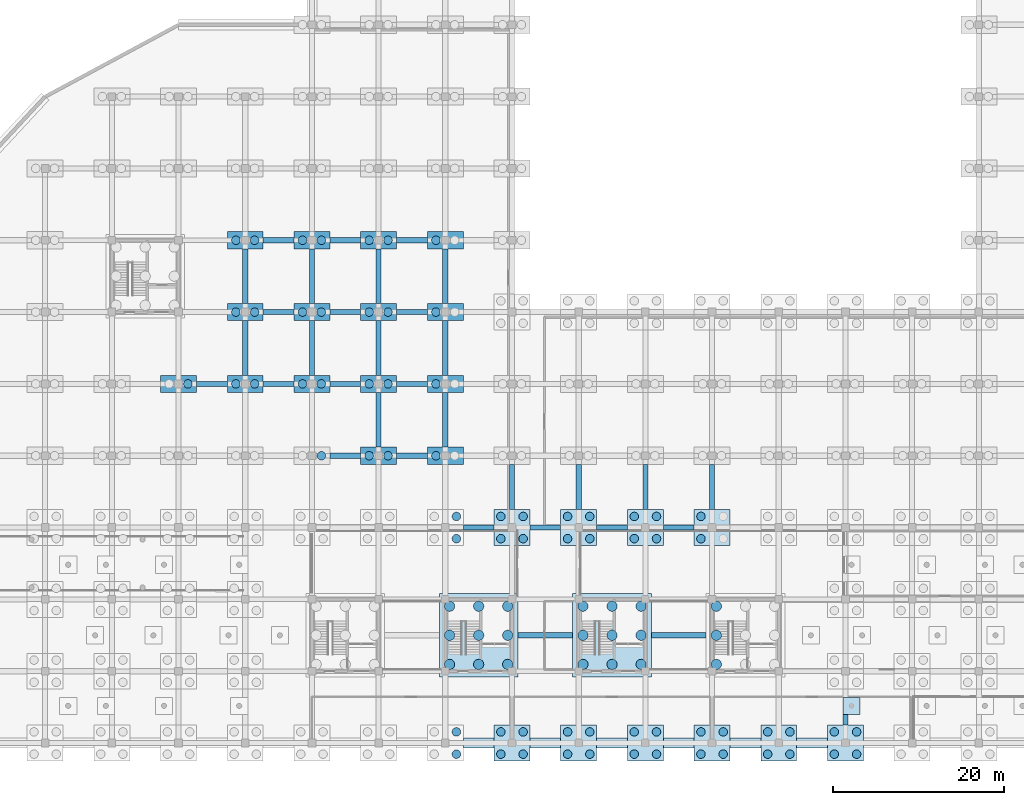
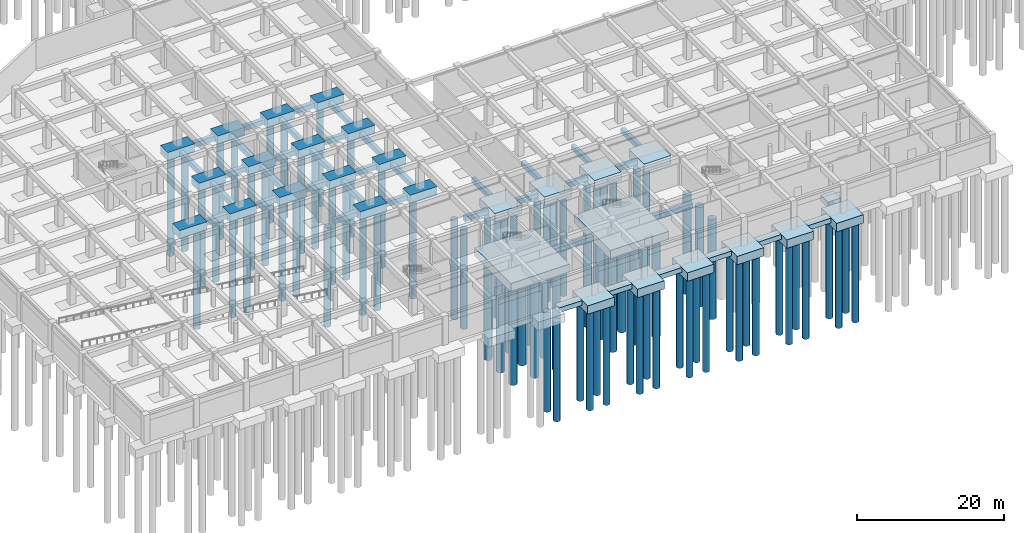
# One storey, part 3 of 31: 89 piles, 67 footings.
"""IFC4 building model written with IfcOpenShell, lengths in metres."""

from ifc_helpers import new_model, si_unit, direction, frame, origin, origin_2d, place, context, subcontext, project, spatial, rectangle, circle, extrude, material, material_profile, profile_set, type_object, element, save


model = new_model("IFC4")

# Units and contexts
model_context = context("Model", 3, precision=1e-05, world=origin(), true_north=direction((0.0, 1.0)))
body_context = subcontext(model_context, "Body", "Model", "MODEL_VIEW")
ifc_project = project(units=[si_unit("LENGTHUNIT", "METRE"), si_unit("AREAUNIT", "SQUARE_METRE"), si_unit("VOLUMEUNIT", "CUBIC_METRE"), si_unit("PLANEANGLEUNIT", "RADIAN"), si_unit("MASSUNIT", "GRAM", prefix="KILO")], contexts=[model_context])

# Site, building, storey
site_placement = place(None, origin())
site = spatial("IfcSite", under=ifc_project, at=site_placement, CompositionType="ELEMENT")
building_placement = place(site_placement, origin())
building = spatial("IfcBuilding", under=site, at=building_placement, Name="Zizhar Promenade General Hospital", CompositionType="ELEMENT")
storey_placement = place(building_placement, frame((0.0, 0.0, -4.800048828125)))
storey = spatial("IfcBuildingStorey", under=building, at=storey_placement, Name="B1", CompositionType="ELEMENT", Elevation=-4.800048828125)

# Footings
ifc_material_1 = material(Name="Concrete C30/37", Category="concrete")
footing_type_1 = type_object("IfcFootingType", Name="FTG-CAP2-4000", PredefinedType="PILE_CAP", material=ifc_material_1)
for number, where, z_axis, x_axis, name in (
    (1, (31.199951171875, 42.0, -1.39990234375), (0.0, 0.0, 1.0), (1.0, 0.0, 0.0), "Pile Cap 5-F"),
    (2, (39.0, 42.0, -1.39990234375), (0.0, 0.0, 1.0), (1.0, 0.0, 0.0), "Pile Cap 6-F"),
    (3, (39.0, 50.39990234375, -1.39990234375), (0.0, 0.0, 1.0), (1.0, 0.0, 0.0), "Pile Cap 6-G"),
    (4, (39.0, 58.800048828125, -1.39990234375), (0.0, 0.0, 1.0), (1.0, 0.0, 0.0), "Pile Cap 6-H"),
    (5, (46.800048828125, 42.0, -1.39990234375), (0.0, 0.0, 1.0), (1.0, 0.0, 0.0), "Pile Cap 7-F"),
    (6, (46.800048828125, 50.39990234375, -1.39990234375), (0.0, 0.0, 1.0), (1.0, 0.0, 0.0), "Pile Cap 7-G"),
    (7, (46.800048828125, 58.800048828125, -1.39990234375), (0.0, 0.0, 1.0), (1.0, 0.0, 0.0), "Pile Cap 7-H"),
    (8, (54.60009765625, 33.60009765625, -1.39990234375), (0.0, 0.0, 1.0), (1.0, 0.0, 0.0), "Pile Cap 8-E"),
    (9, (54.60009765625, 42.0, -1.39990234375), (0.0, 0.0, 1.0), (1.0, 0.0, 0.0), "Pile Cap 8-F"),
    (10, (54.60009765625, 50.39990234375, -1.39990234375), (0.0, 0.0, 1.0), (1.0, 0.0, 0.0), "Pile Cap 8-G"),
    (11, (54.60009765625, 58.800048828125, -1.39990234375), (0.0, 0.0, 1.0), (1.0, 0.0, 0.0), "Pile Cap 8-H"),
    (12, (62.39990234375, 33.60009765625, -1.39990234375), (0.0, 0.0, 1.0), (1.0, 0.0, 0.0), "Pile Cap 9-E"),
    (13, (62.39990234375, 42.0, -1.39990234375), (0.0, 0.0, 1.0), (1.0, 0.0, 0.0), "Pile Cap 9-F"),
    (14, (62.39990234375, 50.39990234375, -1.39990234375), (0.0, 0.0, 1.0), (1.0, 0.0, 0.0), "Pile Cap 9-G"),
    (15, (62.39990234375, 58.800048828125, -1.39990234375), (0.0, 0.0, 1.0), (1.0, 0.0, 0.0), "Pile Cap 9-H"),
):
    element("IfcFooting", number, at=place(storey_placement, frame(where, z_axis=z_axis, x_axis=x_axis)), inside=storey, type_object=footing_type_1, Name=name, PredefinedType="PILE_CAP", context=body_context, shape_type="SweptSolid", body=[
        extrude(rectangle(XDim=4.199951171875, YDim=2.0, at=origin_2d()), origin(), (0.0, 0.0, 1.0), 1.39990234375),
    ])
ifc_material_2 = material(Name="Concrete C30/37", Category="concrete")
footing_type_2 = type_object("IfcFootingType", Name="FTG-CAP4-4200", PredefinedType="PILE_CAP", material=ifc_material_2)
for number, where, z_axis, x_axis, name in (
    (16, (70.199951171875, 0.0, -1.39990234375), (0.0, 0.0, 1.0), (1.0, 0.0, 0.0), "Pile Cap 10-A"),
    (17, (70.199951171875, 25.199951171875, -1.39990234375), (0.0, 0.0, 1.0), (1.0, 0.0, 0.0), "Pile Cap 10-D"),
    (18, (78.0, 0.0, -1.39990234375), (0.0, 0.0, 1.0), (1.0, 0.0, 0.0), "Pile Cap 11-A"),
    (19, (78.0, 25.199951171875, -1.39990234375), (0.0, 0.0, 1.0), (1.0, 0.0, 0.0), "Pile Cap 11-D"),
    (20, (85.800048828125, 0.0, -1.39990234375), (0.0, 0.0, 1.0), (1.0, 0.0, 0.0), "Pile Cap 12-A"),
    (21, (85.800048828125, 25.199951171875, -1.39990234375), (0.0, 0.0, 1.0), (1.0, 0.0, 0.0), "Pile Cap 12-D"),
    (22, (93.60009765625, 0.0, -1.39990234375), (0.0, 0.0, 1.0), (1.0, 0.0, 0.0), "Pile Cap 13-A"),
    (23, (93.60009765625, 25.199951171875, -1.39990234375), (0.0, 0.0, 1.0), (1.0, 0.0, 0.0), "Pile Cap 13-D"),
    (24, (101.39990234375, 0.0, -1.39990234375), (0.0, 0.0, 1.0), (1.0, 0.0, 0.0), "Pile Cap 14-A"),
    (25, (109.199951171875, 0.0, -1.39990234375), (0.0, 0.0, 1.0), (1.0, 0.0, 0.0), "Pile Cap 15-A"),
):
    element("IfcFooting", number, at=place(storey_placement, frame(where, z_axis=z_axis, x_axis=x_axis)), inside=storey, type_object=footing_type_2, Name=name, PredefinedType="PILE_CAP", context=body_context, shape_type="SweptSolid", body=[
        extrude(rectangle(XDim=4.199951171875, YDim=4.199951171875, at=origin_2d()), origin(), (0.0, 0.0, 1.0), 1.39990234375),
    ])
ifc_material_3 = material(Name="Concrete C30/37", Category="concrete")
footing_type_3 = type_object("IfcFootingType", Name="FTG-CORECAP-9200", PredefinedType="PILE_CAP", material=ifc_material_3)
for number, where, z_axis, x_axis, name in (
    (26, (66.300048828125, 12.60009765625, -1.39990234375), (0.0, 0.0, 1.0), (1.0, 0.0, 0.0), "Core C3 Pile Cap"),
    (27, (81.89990234375, 12.60009765625, -1.39990234375), (0.0, 0.0, 1.0), (1.0, 0.0, 0.0), "Core C4 Pile Cap"),
):
    element("IfcFooting", number, at=place(storey_placement, frame(where, z_axis=z_axis, x_axis=x_axis)), inside=storey, type_object=footing_type_3, Name=name, PredefinedType="PILE_CAP", context=body_context, shape_type="SweptSolid", body=[
        extrude(rectangle(XDim=9.199951171875, YDim=9.800048828125, at=origin_2d()), origin(), (0.0, 0.0, 1.0), 1.39990234375),
    ])
ifc_material_4 = material(Name="Concrete C30/37", Category="concrete")
footing_type_4 = type_object("IfcFootingType", Name="FTG-PAD-2000", PredefinedType="PAD_FOOTING", material=ifc_material_4)
footing_1_placement = place(storey_placement, frame((109.89990234375, 4.35009765625, -1.39990234375), z_axis=(0.0, 0.0, 1.0), x_axis=(1.0, 0.0, 0.0)))
element("IfcFooting", 28, at=footing_1_placement, inside=storey, type_object=footing_type_4, Name="Terrace Support Pad Footing L09-E0", PredefinedType="PAD_FOOTING", context=body_context, shape_type="SweptSolid", body=[
    extrude(rectangle(XDim=2.0, YDim=2.0, at=origin_2d()), origin(), (0.0, 0.0, 1.0), 1.0),
])
ifc_material_5 = material(Name="Concrete C30/37", Category="concrete")
ifc_material_profile_1 = material_profile(ifc_material_5, rectangle(XDim=1.199951171875, YDim=0.800048828125, at=origin_2d()))
ifc_profile_set_1 = profile_set([ifc_material_profile_1], Name="Concrete C30/37")
footing_type_5 = type_object("IfcFootingType", Name="FTG-STRIP-1200", PredefinedType="STRIP_FOOTING", material=ifc_profile_set_1)
footing_2_placement = place(storey_placement, frame((64.5, 0.0, -0.39990234375), z_axis=(1.0, 0.0, 0.0), x_axis=(0.0, 1.0, 0.0)))
element("IfcFooting", 29, at=footing_2_placement, inside=storey, type_object=footing_type_5, Name="Basement Wall Strip Footing B01 (9)", PredefinedType="STRIP_FOOTING", context=body_context, shape_type="SweptSolid", body=[
    extrude(rectangle(XDim=1.199951171875, YDim=0.800048828125, at=origin_2d()), origin(), (0.0, 0.0, 1.0), 3.60009765625),
])
for number, where, z_axis, x_axis, name in (
    (30, (72.300048828125, 0.0, -0.39990234375), (1.0, 0.0, 0.0), (0.0, 1.0, 0.0), "Basement Wall Strip Footing B01 (10)"),
    (31, (80.10009765625, 0.0, -0.39990234375), (1.0, 0.0, 0.0), (0.0, 1.0, 0.0), "Basement Wall Strip Footing B01 (11)"),
):
    element("IfcFooting", number, at=place(storey_placement, frame(where, z_axis=z_axis, x_axis=x_axis)), inside=storey, type_object=footing_type_5, Name=name, PredefinedType="STRIP_FOOTING", context=body_context, shape_type="SweptSolid", body=[
        extrude(rectangle(XDim=1.199951171875, YDim=0.800048828125, at=origin_2d()), origin(), (0.0, 0.0, 1.0), 3.599853515625),
    ])
for number, where, z_axis, x_axis, name in (
    (32, (87.89990234375, 0.0, -0.39990234375), (1.0, 0.0, 0.0), (0.0, 1.0, 0.0), "Basement Wall Strip Footing B01 (12)"),
    (33, (95.699951171875, 0.0, -0.39990234375), (1.0, 0.0, 0.0), (0.0, 1.0, 0.0), "Basement Wall Strip Footing B01 (13)"),
    (34, (103.5, 0.0, -0.39990234375), (1.0, 0.0, 0.0), (0.0, 1.0, 0.0), "Basement Wall Strip Footing B01 (14)"),
):
    element("IfcFooting", number, at=place(storey_placement, frame(where, z_axis=z_axis, x_axis=x_axis)), inside=storey, type_object=footing_type_5, Name=name, PredefinedType="STRIP_FOOTING", context=body_context, shape_type="SweptSolid", body=[
        extrude(rectangle(XDim=1.199951171875, YDim=0.800048828125, at=origin_2d()), origin(), (0.0, 0.0, 1.0), 3.60009765625),
    ])
ifc_material_6 = material(Name="Concrete C30/37", Category="concrete")
ifc_material_profile_2 = material_profile(ifc_material_6, rectangle(XDim=0.60009765625, YDim=0.800048828125, at=origin_2d()))
ifc_profile_set_2 = profile_set([ifc_material_profile_2], Name="Concrete C30/37")
footing_type_6 = type_object("IfcFootingType", Name="FTG-TIE-600x800", PredefinedType="FOOTING_BEAM", material=ifc_profile_set_2)
for number, where, z_axis, x_axis, name in (
    (35, (33.300048828125, 42.0, -0.800048828125), (1.0, 0.0, 0.0), (0.0, 1.0, 0.0), "Seismic Ground Tie Beam X-4-5"),
    (36, (41.10009765625, 42.0, -0.800048828125), (1.0, 0.0, 0.0), (0.0, 1.0, 0.0), "Seismic Ground Tie Beam X-5-5"),
):
    element("IfcFooting", number, at=place(storey_placement, frame(where, z_axis=z_axis, x_axis=x_axis)), inside=storey, type_object=footing_type_6, Name=name, PredefinedType="FOOTING_BEAM", context=body_context, shape_type="SweptSolid", body=[
        extrude(rectangle(XDim=0.60009765625, YDim=0.800048828125, at=origin_2d()), origin(), (0.0, 0.0, 1.0), 3.599853515625),
    ])
footing_3_placement = place(storey_placement, frame((39.0, 43.0, -0.800048828125), z_axis=(0.0, 1.0, 0.0), x_axis=(-1.0, 0.0, 0.0)))
element("IfcFooting", 37, at=footing_3_placement, inside=storey, type_object=footing_type_6, Name="Seismic Ground Tie Beam Y-5-5", PredefinedType="FOOTING_BEAM", context=body_context, shape_type="SweptSolid", body=[
    extrude(rectangle(XDim=0.60009765625, YDim=0.800048828125, at=origin_2d()), origin(), (0.0, 0.0, 1.0), 6.39990234375),
])
footing_4_placement = place(storey_placement, frame((41.10009765625, 50.39990234375, -0.800048828125), z_axis=(1.0, 0.0, 0.0), x_axis=(0.0, 1.0, 0.0)))
element("IfcFooting", 38, at=footing_4_placement, inside=storey, type_object=footing_type_6, Name="Seismic Ground Tie Beam X-5-6", PredefinedType="FOOTING_BEAM", context=body_context, shape_type="SweptSolid", body=[
    extrude(rectangle(XDim=0.60009765625, YDim=0.800048828125, at=origin_2d()), origin(), (0.0, 0.0, 1.0), 3.599853515625),
])
footing_5_placement = place(storey_placement, frame((39.0, 51.39990234375, -0.800048828125), z_axis=(0.0, 1.0, 0.0), x_axis=(-1.0, 0.0, 0.0)))
element("IfcFooting", 39, at=footing_5_placement, inside=storey, type_object=footing_type_6, Name="Seismic Ground Tie Beam Y-5-6", PredefinedType="FOOTING_BEAM", context=body_context, shape_type="SweptSolid", body=[
    extrude(rectangle(XDim=0.60009765625, YDim=0.800048828125, at=origin_2d()), origin(), (0.0, 0.0, 1.0), 6.400146484375),
])
footing_6_placement = place(storey_placement, frame((41.10009765625, 58.800048828125, -0.800048828125), z_axis=(1.0, 0.0, 0.0), x_axis=(0.0, 1.0, 0.0)))
element("IfcFooting", 40, at=footing_6_placement, inside=storey, type_object=footing_type_6, Name="Seismic Ground Tie Beam X-5-7", PredefinedType="FOOTING_BEAM", context=body_context, shape_type="SweptSolid", body=[
    extrude(rectangle(XDim=0.60009765625, YDim=0.800048828125, at=origin_2d()), origin(), (0.0, 0.0, 1.0), 3.599853515625),
])
for number, where, z_axis, x_axis, name in (
    (41, (48.89990234375, 33.60009765625, -0.800048828125), (1.0, 0.0, 0.0), (0.0, 1.0, 0.0), "Seismic Ground Tie Beam X-6-4"),
    (42, (48.89990234375, 42.0, -0.800048828125), (1.0, 0.0, 0.0), (0.0, 1.0, 0.0), "Seismic Ground Tie Beam X-6-5"),
):
    element("IfcFooting", number, at=place(storey_placement, frame(where, z_axis=z_axis, x_axis=x_axis)), inside=storey, type_object=footing_type_6, Name=name, PredefinedType="FOOTING_BEAM", context=body_context, shape_type="SweptSolid", body=[
        extrude(rectangle(XDim=0.60009765625, YDim=0.800048828125, at=origin_2d()), origin(), (0.0, 0.0, 1.0), 3.60009765625),
    ])
footing_7_placement = place(storey_placement, frame((46.800048828125, 43.0, -0.800048828125), z_axis=(0.0, 1.0, 0.0), x_axis=(-1.0, 0.0, 0.0)))
element("IfcFooting", 43, at=footing_7_placement, inside=storey, type_object=footing_type_6, Name="Seismic Ground Tie Beam Y-6-5", PredefinedType="FOOTING_BEAM", context=body_context, shape_type="SweptSolid", body=[
    extrude(rectangle(XDim=0.60009765625, YDim=0.800048828125, at=origin_2d()), origin(), (0.0, 0.0, 1.0), 6.39990234375),
])
footing_8_placement = place(storey_placement, frame((48.89990234375, 50.39990234375, -0.800048828125), z_axis=(1.0, 0.0, 0.0), x_axis=(0.0, 1.0, 0.0)))
element("IfcFooting", 44, at=footing_8_placement, inside=storey, type_object=footing_type_6, Name="Seismic Ground Tie Beam X-6-6", PredefinedType="FOOTING_BEAM", context=body_context, shape_type="SweptSolid", body=[
    extrude(rectangle(XDim=0.60009765625, YDim=0.800048828125, at=origin_2d()), origin(), (0.0, 0.0, 1.0), 3.60009765625),
])
footing_9_placement = place(storey_placement, frame((46.800048828125, 51.39990234375, -0.800048828125), z_axis=(0.0, 1.0, 0.0), x_axis=(-1.0, 0.0, 0.0)))
element("IfcFooting", 45, at=footing_9_placement, inside=storey, type_object=footing_type_6, Name="Seismic Ground Tie Beam Y-6-6", PredefinedType="FOOTING_BEAM", context=body_context, shape_type="SweptSolid", body=[
    extrude(rectangle(XDim=0.60009765625, YDim=0.800048828125, at=origin_2d()), origin(), (0.0, 0.0, 1.0), 6.400146484375),
])
for number, where, z_axis, x_axis, name in (
    (46, (48.89990234375, 58.800048828125, -0.800048828125), (1.0, 0.0, 0.0), (0.0, 1.0, 0.0), "Seismic Ground Tie Beam X-6-7"),
    (47, (56.699951171875, 33.60009765625, -0.800048828125), (1.0, 0.0, 0.0), (0.0, 1.0, 0.0), "Seismic Ground Tie Beam X-7-4"),
):
    element("IfcFooting", number, at=place(storey_placement, frame(where, z_axis=z_axis, x_axis=x_axis)), inside=storey, type_object=footing_type_6, Name=name, PredefinedType="FOOTING_BEAM", context=body_context, shape_type="SweptSolid", body=[
        extrude(rectangle(XDim=0.60009765625, YDim=0.800048828125, at=origin_2d()), origin(), (0.0, 0.0, 1.0), 3.60009765625),
    ])
footing_10_placement = place(storey_placement, frame((54.60009765625, 34.60009765625, -0.800048828125), z_axis=(0.0, 1.0, 0.0), x_axis=(-1.0, 0.0, 0.0)))
element("IfcFooting", 48, at=footing_10_placement, inside=storey, type_object=footing_type_6, Name="Seismic Ground Tie Beam Y-7-4", PredefinedType="FOOTING_BEAM", context=body_context, shape_type="SweptSolid", body=[
    extrude(rectangle(XDim=0.60009765625, YDim=0.800048828125, at=origin_2d()), origin(), (0.0, 0.0, 1.0), 6.39990234375),
])
footing_11_placement = place(storey_placement, frame((56.699951171875, 42.0, -0.800048828125), z_axis=(1.0, 0.0, 0.0), x_axis=(0.0, 1.0, 0.0)))
element("IfcFooting", 49, at=footing_11_placement, inside=storey, type_object=footing_type_6, Name="Seismic Ground Tie Beam X-7-5", PredefinedType="FOOTING_BEAM", context=body_context, shape_type="SweptSolid", body=[
    extrude(rectangle(XDim=0.60009765625, YDim=0.800048828125, at=origin_2d()), origin(), (0.0, 0.0, 1.0), 3.60009765625),
])
footing_12_placement = place(storey_placement, frame((54.60009765625, 43.0, -0.800048828125), z_axis=(0.0, 1.0, 0.0), x_axis=(-1.0, 0.0, 0.0)))
element("IfcFooting", 50, at=footing_12_placement, inside=storey, type_object=footing_type_6, Name="Seismic Ground Tie Beam Y-7-5", PredefinedType="FOOTING_BEAM", context=body_context, shape_type="SweptSolid", body=[
    extrude(rectangle(XDim=0.60009765625, YDim=0.800048828125, at=origin_2d()), origin(), (0.0, 0.0, 1.0), 6.39990234375),
])
footing_13_placement = place(storey_placement, frame((56.699951171875, 50.39990234375, -0.800048828125), z_axis=(1.0, 0.0, 0.0), x_axis=(0.0, 1.0, 0.0)))
element("IfcFooting", 51, at=footing_13_placement, inside=storey, type_object=footing_type_6, Name="Seismic Ground Tie Beam X-7-6", PredefinedType="FOOTING_BEAM", context=body_context, shape_type="SweptSolid", body=[
    extrude(rectangle(XDim=0.60009765625, YDim=0.800048828125, at=origin_2d()), origin(), (0.0, 0.0, 1.0), 3.60009765625),
])
footing_14_placement = place(storey_placement, frame((54.60009765625, 51.39990234375, -0.800048828125), z_axis=(0.0, 1.0, 0.0), x_axis=(-1.0, 0.0, 0.0)))
element("IfcFooting", 52, at=footing_14_placement, inside=storey, type_object=footing_type_6, Name="Seismic Ground Tie Beam Y-7-6", PredefinedType="FOOTING_BEAM", context=body_context, shape_type="SweptSolid", body=[
    extrude(rectangle(XDim=0.60009765625, YDim=0.800048828125, at=origin_2d()), origin(), (0.0, 0.0, 1.0), 6.400146484375),
])
for number, where, z_axis, x_axis, name in (
    (53, (56.699951171875, 58.800048828125, -0.800048828125), (1.0, 0.0, 0.0), (0.0, 1.0, 0.0), "Seismic Ground Tie Beam X-7-7"),
    (54, (64.5, 25.199951171875, -0.800048828125), (1.0, 0.0, 0.0), (0.0, 1.0, 0.0), "Seismic Ground Tie Beam X-8-3"),
):
    element("IfcFooting", number, at=place(storey_placement, frame(where, z_axis=z_axis, x_axis=x_axis)), inside=storey, type_object=footing_type_6, Name=name, PredefinedType="FOOTING_BEAM", context=body_context, shape_type="SweptSolid", body=[
        extrude(rectangle(XDim=0.60009765625, YDim=0.800048828125, at=origin_2d()), origin(), (0.0, 0.0, 1.0), 3.60009765625),
    ])
for number, where, z_axis, x_axis, name in (
    (55, (62.39990234375, 34.60009765625, -0.800048828125), (0.0, 1.0, 0.0), (-1.0, 0.0, 0.0), "Seismic Ground Tie Beam Y-8-4"),
    (56, (62.39990234375, 43.0, -0.800048828125), (0.0, 1.0, 0.0), (-1.0, 0.0, 0.0), "Seismic Ground Tie Beam Y-8-5"),
):
    element("IfcFooting", number, at=place(storey_placement, frame(where, z_axis=z_axis, x_axis=x_axis)), inside=storey, type_object=footing_type_6, Name=name, PredefinedType="FOOTING_BEAM", context=body_context, shape_type="SweptSolid", body=[
        extrude(rectangle(XDim=0.60009765625, YDim=0.800048828125, at=origin_2d()), origin(), (0.0, 0.0, 1.0), 6.39990234375),
    ])
for number, where, z_axis, x_axis, name in (
    (57, (62.39990234375, 51.39990234375, -0.800048828125), (0.0, 1.0, 0.0), (-1.0, 0.0, 0.0), "Seismic Ground Tie Beam Y-8-6"),
    (58, (70.89990234375, 12.60009765625, -0.800048828125), (1.0, 0.0, 0.0), (0.0, 1.0, 0.0), "Seismic Ground Tie Beam X-9-1"),
):
    element("IfcFooting", number, at=place(storey_placement, frame(where, z_axis=z_axis, x_axis=x_axis)), inside=storey, type_object=footing_type_6, Name=name, PredefinedType="FOOTING_BEAM", context=body_context, shape_type="SweptSolid", body=[
        extrude(rectangle(XDim=0.60009765625, YDim=0.800048828125, at=origin_2d()), origin(), (0.0, 0.0, 1.0), 6.400146484375),
    ])
footing_15_placement = place(storey_placement, frame((72.300048828125, 25.199951171875, -0.800048828125), z_axis=(1.0, 0.0, 0.0), x_axis=(0.0, 1.0, 0.0)))
element("IfcFooting", 59, at=footing_15_placement, inside=storey, type_object=footing_type_6, Name="Seismic Ground Tie Beam X-9-3", PredefinedType="FOOTING_BEAM", context=body_context, shape_type="SweptSolid", body=[
    extrude(rectangle(XDim=0.60009765625, YDim=0.800048828125, at=origin_2d()), origin(), (0.0, 0.0, 1.0), 3.599853515625),
])
footing_16_placement = place(storey_placement, frame((70.199951171875, 27.300048828125, -0.800048828125), z_axis=(0.0, 1.0, 0.0), x_axis=(-1.0, 0.0, 0.0)))
element("IfcFooting", 60, at=footing_16_placement, inside=storey, type_object=footing_type_6, Name="Seismic Ground Tie Beam Y-9-3", PredefinedType="FOOTING_BEAM", context=body_context, shape_type="SweptSolid", body=[
    extrude(rectangle(XDim=0.60009765625, YDim=0.800048828125, at=origin_2d()), origin(), (0.0, 0.0, 1.0), 5.300048828125),
])
footing_17_placement = place(storey_placement, frame((80.10009765625, 25.199951171875, -0.800048828125), z_axis=(1.0, 0.0, 0.0), x_axis=(0.0, 1.0, 0.0)))
element("IfcFooting", 61, at=footing_17_placement, inside=storey, type_object=footing_type_6, Name="Seismic Ground Tie Beam X-10-3", PredefinedType="FOOTING_BEAM", context=body_context, shape_type="SweptSolid", body=[
    extrude(rectangle(XDim=0.60009765625, YDim=0.800048828125, at=origin_2d()), origin(), (0.0, 0.0, 1.0), 3.599853515625),
])
footing_18_placement = place(storey_placement, frame((78.0, 27.300048828125, -0.800048828125), z_axis=(0.0, 1.0, 0.0), x_axis=(-1.0, 0.0, 0.0)))
element("IfcFooting", 62, at=footing_18_placement, inside=storey, type_object=footing_type_6, Name="Seismic Ground Tie Beam Y-10-3", PredefinedType="FOOTING_BEAM", context=body_context, shape_type="SweptSolid", body=[
    extrude(rectangle(XDim=0.60009765625, YDim=0.800048828125, at=origin_2d()), origin(), (0.0, 0.0, 1.0), 5.300048828125),
])
footing_19_placement = place(storey_placement, frame((86.5, 12.60009765625, -0.800048828125), z_axis=(1.0, 0.0, 0.0), x_axis=(0.0, 1.0, 0.0)))
element("IfcFooting", 63, at=footing_19_placement, inside=storey, type_object=footing_type_6, Name="Seismic Ground Tie Beam X-11-1", PredefinedType="FOOTING_BEAM", context=body_context, shape_type="SweptSolid", body=[
    extrude(rectangle(XDim=0.60009765625, YDim=0.800048828125, at=origin_2d()), origin(), (0.0, 0.0, 1.0), 6.39990234375),
])
footing_20_placement = place(storey_placement, frame((87.89990234375, 25.199951171875, -0.800048828125), z_axis=(1.0, 0.0, 0.0), x_axis=(0.0, 1.0, 0.0)))
element("IfcFooting", 64, at=footing_20_placement, inside=storey, type_object=footing_type_6, Name="Seismic Ground Tie Beam X-11-3", PredefinedType="FOOTING_BEAM", context=body_context, shape_type="SweptSolid", body=[
    extrude(rectangle(XDim=0.60009765625, YDim=0.800048828125, at=origin_2d()), origin(), (0.0, 0.0, 1.0), 3.60009765625),
])
for number, where, z_axis, x_axis, name in (
    (65, (85.800048828125, 27.300048828125, -0.800048828125), (0.0, 1.0, 0.0), (-1.0, 0.0, 0.0), "Seismic Ground Tie Beam Y-11-3"),
    (66, (93.60009765625, 27.300048828125, -0.800048828125), (0.0, 1.0, 0.0), (-1.0, 0.0, 0.0), "Seismic Ground Tie Beam Y-12-3"),
):
    element("IfcFooting", number, at=place(storey_placement, frame(where, z_axis=z_axis, x_axis=x_axis)), inside=storey, type_object=footing_type_6, Name=name, PredefinedType="FOOTING_BEAM", context=body_context, shape_type="SweptSolid", body=[
        extrude(rectangle(XDim=0.60009765625, YDim=0.800048828125, at=origin_2d()), origin(), (0.0, 0.0, 1.0), 5.300048828125),
    ])
footing_21_placement = place(storey_placement, frame((109.199951171875, 2.10009765625, -0.800048828125), z_axis=(0.0, 1.0, 0.0), x_axis=(-1.0, 0.0, 0.0)))
element("IfcFooting", 67, at=footing_21_placement, inside=storey, type_object=footing_type_6, Name="Seismic Ground Tie Beam Y-14-0", PredefinedType="FOOTING_BEAM", context=body_context, shape_type="SweptSolid", body=[
    extrude(rectangle(XDim=0.60009765625, YDim=0.800048828125, at=origin_2d()), origin(), (0.0, 0.0, 1.0), 1.25),
])

# Piles
ifc_material_7 = material(Name="Concrete C30/37", Category="concrete")
ifc_material_profile_3 = material_profile(ifc_material_7, circle(Radius=0.5, at=origin_2d()))
ifc_profile_set_3 = profile_set([ifc_material_profile_3], Name="Concrete C30/37")
pile_type_1 = type_object("IfcPileType", Name="PIL-BORED-1000", PredefinedType="BORED", material=ifc_profile_set_3)
for number, where, z_axis, x_axis, name in (
    (68, (32.300048828125, 42.0, -1.300048828125), (0.0, 0.0, -1.0), (1.0, 0.0, 0.0), "Bored Pile 5-F-2"),
    (69, (37.89990234375, 42.0, -1.300048828125), (0.0, 0.0, -1.0), (1.0, 0.0, 0.0), "Bored Pile 6-F-1"),
    (70, (40.10009765625, 42.0, -1.300048828125), (0.0, 0.0, -1.0), (1.0, 0.0, 0.0), "Bored Pile 6-F-2"),
    (71, (37.89990234375, 50.39990234375, -1.300048828125), (0.0, 0.0, -1.0), (1.0, 0.0, 0.0), "Bored Pile 6-G-1"),
    (72, (40.10009765625, 50.39990234375, -1.300048828125), (0.0, 0.0, -1.0), (1.0, 0.0, 0.0), "Bored Pile 6-G-2"),
    (73, (37.89990234375, 58.800048828125, -1.300048828125), (0.0, 0.0, -1.0), (1.0, 0.0, 0.0), "Bored Pile 6-H-1"),
    (74, (40.10009765625, 58.800048828125, -1.300048828125), (0.0, 0.0, -1.0), (1.0, 0.0, 0.0), "Bored Pile 6-H-2"),
    (75, (47.89990234375, 33.60009765625, -1.300048828125), (0.0, 0.0, -1.0), (1.0, 0.0, 0.0), "Bored Pile 7-E-2"),
    (76, (45.699951171875, 42.0, -1.300048828125), (0.0, 0.0, -1.0), (1.0, 0.0, 0.0), "Bored Pile 7-F-1"),
    (77, (47.89990234375, 42.0, -1.300048828125), (0.0, 0.0, -1.0), (1.0, 0.0, 0.0), "Bored Pile 7-F-2"),
    (78, (45.699951171875, 50.39990234375, -1.300048828125), (0.0, 0.0, -1.0), (1.0, 0.0, 0.0), "Bored Pile 7-G-1"),
    (79, (47.89990234375, 50.39990234375, -1.300048828125), (0.0, 0.0, -1.0), (1.0, 0.0, 0.0), "Bored Pile 7-G-2"),
    (80, (45.699951171875, 58.800048828125, -1.300048828125), (0.0, 0.0, -1.0), (1.0, 0.0, 0.0), "Bored Pile 7-H-1"),
    (81, (47.89990234375, 58.800048828125, -1.300048828125), (0.0, 0.0, -1.0), (1.0, 0.0, 0.0), "Bored Pile 7-H-2"),
    (82, (53.5, 33.60009765625, -1.300048828125), (0.0, 0.0, -1.0), (1.0, 0.0, 0.0), "Bored Pile 8-E-1"),
    (83, (55.699951171875, 33.60009765625, -1.300048828125), (0.0, 0.0, -1.0), (1.0, 0.0, 0.0), "Bored Pile 8-E-2"),
    (84, (53.5, 42.0, -1.300048828125), (0.0, 0.0, -1.0), (1.0, 0.0, 0.0), "Bored Pile 8-F-1"),
    (85, (55.699951171875, 42.0, -1.300048828125), (0.0, 0.0, -1.0), (1.0, 0.0, 0.0), "Bored Pile 8-F-2"),
    (86, (53.5, 50.39990234375, -1.300048828125), (0.0, 0.0, -1.0), (1.0, 0.0, 0.0), "Bored Pile 8-G-1"),
    (87, (55.699951171875, 50.39990234375, -1.300048828125), (0.0, 0.0, -1.0), (1.0, 0.0, 0.0), "Bored Pile 8-G-2"),
    (88, (53.5, 58.800048828125, -1.300048828125), (0.0, 0.0, -1.0), (1.0, 0.0, 0.0), "Bored Pile 8-H-1"),
    (89, (55.699951171875, 58.800048828125, -1.300048828125), (0.0, 0.0, -1.0), (1.0, 0.0, 0.0), "Bored Pile 8-H-2"),
    (90, (63.699951171875, -1.300048828125, -1.300048828125), (0.0, 0.0, -1.0), (1.0, 0.0, 0.0), "Bored Pile 9-A-3"),
    (91, (63.699951171875, 1.300048828125, -1.300048828125), (0.0, 0.0, -1.0), (1.0, 0.0, 0.0), "Bored Pile 9-A-4"),
    (92, (63.699951171875, 23.89990234375, -1.300048828125), (0.0, 0.0, -1.0), (1.0, 0.0, 0.0), "Bored Pile 9-D-3"),
    (93, (63.699951171875, 26.5, -1.300048828125), (0.0, 0.0, -1.0), (1.0, 0.0, 0.0), "Bored Pile 9-D-4"),
    (94, (61.300048828125, 33.60009765625, -1.300048828125), (0.0, 0.0, -1.0), (1.0, 0.0, 0.0), "Bored Pile 9-E-1"),
    (95, (61.300048828125, 42.0, -1.300048828125), (0.0, 0.0, -1.0), (1.0, 0.0, 0.0), "Bored Pile 9-F-1"),
    (96, (61.300048828125, 50.39990234375, -1.300048828125), (0.0, 0.0, -1.0), (1.0, 0.0, 0.0), "Bored Pile 9-G-1"),
    (97, (61.300048828125, 58.800048828125, -1.300048828125), (0.0, 0.0, -1.0), (1.0, 0.0, 0.0), "Bored Pile 9-H-1"),
    (98, (68.89990234375, -1.300048828125, -1.300048828125), (0.0, 0.0, -1.0), (1.0, 0.0, 0.0), "Bored Pile 10-A-1"),
    (99, (68.89990234375, 1.300048828125, -1.300048828125), (0.0, 0.0, -1.0), (1.0, 0.0, 0.0), "Bored Pile 10-A-2"),
    (100, (71.5, -1.300048828125, -1.300048828125), (0.0, 0.0, -1.0), (1.0, 0.0, 0.0), "Bored Pile 10-A-3"),
    (101, (71.5, 1.300048828125, -1.300048828125), (0.0, 0.0, -1.0), (1.0, 0.0, 0.0), "Bored Pile 10-A-4"),
    (102, (68.89990234375, 23.89990234375, -1.300048828125), (0.0, 0.0, -1.0), (1.0, 0.0, 0.0), "Bored Pile 10-D-1"),
    (103, (68.89990234375, 26.5, -1.300048828125), (0.0, 0.0, -1.0), (1.0, 0.0, 0.0), "Bored Pile 10-D-2"),
    (104, (71.5, 23.89990234375, -1.300048828125), (0.0, 0.0, -1.0), (1.0, 0.0, 0.0), "Bored Pile 10-D-3"),
    (105, (71.5, 26.5, -1.300048828125), (0.0, 0.0, -1.0), (1.0, 0.0, 0.0), "Bored Pile 10-D-4"),
    (106, (76.699951171875, -1.300048828125, -1.300048828125), (0.0, 0.0, -1.0), (1.0, 0.0, 0.0), "Bored Pile 11-A-1"),
    (107, (76.699951171875, 1.300048828125, -1.300048828125), (0.0, 0.0, -1.0), (1.0, 0.0, 0.0), "Bored Pile 11-A-2"),
    (108, (79.300048828125, -1.300048828125, -1.300048828125), (0.0, 0.0, -1.0), (1.0, 0.0, 0.0), "Bored Pile 11-A-3"),
    (109, (79.300048828125, 1.300048828125, -1.300048828125), (0.0, 0.0, -1.0), (1.0, 0.0, 0.0), "Bored Pile 11-A-4"),
    (110, (76.699951171875, 23.89990234375, -1.300048828125), (0.0, 0.0, -1.0), (1.0, 0.0, 0.0), "Bored Pile 11-D-1"),
    (111, (76.699951171875, 26.5, -1.300048828125), (0.0, 0.0, -1.0), (1.0, 0.0, 0.0), "Bored Pile 11-D-2"),
    (112, (79.300048828125, 23.89990234375, -1.300048828125), (0.0, 0.0, -1.0), (1.0, 0.0, 0.0), "Bored Pile 11-D-3"),
    (113, (79.300048828125, 26.5, -1.300048828125), (0.0, 0.0, -1.0), (1.0, 0.0, 0.0), "Bored Pile 11-D-4"),
    (114, (84.5, -1.300048828125, -1.300048828125), (0.0, 0.0, -1.0), (1.0, 0.0, 0.0), "Bored Pile 12-A-1"),
    (115, (84.5, 1.300048828125, -1.300048828125), (0.0, 0.0, -1.0), (1.0, 0.0, 0.0), "Bored Pile 12-A-2"),
    (116, (87.10009765625, -1.300048828125, -1.300048828125), (0.0, 0.0, -1.0), (1.0, 0.0, 0.0), "Bored Pile 12-A-3"),
    (117, (87.10009765625, 1.300048828125, -1.300048828125), (0.0, 0.0, -1.0), (1.0, 0.0, 0.0), "Bored Pile 12-A-4"),
    (118, (84.5, 23.89990234375, -1.300048828125), (0.0, 0.0, -1.0), (1.0, 0.0, 0.0), "Bored Pile 12-D-1"),
    (119, (84.5, 26.5, -1.300048828125), (0.0, 0.0, -1.0), (1.0, 0.0, 0.0), "Bored Pile 12-D-2"),
    (120, (87.10009765625, 23.89990234375, -1.300048828125), (0.0, 0.0, -1.0), (1.0, 0.0, 0.0), "Bored Pile 12-D-3"),
    (121, (87.10009765625, 26.5, -1.300048828125), (0.0, 0.0, -1.0), (1.0, 0.0, 0.0), "Bored Pile 12-D-4"),
    (122, (92.300048828125, -1.300048828125, -1.300048828125), (0.0, 0.0, -1.0), (1.0, 0.0, 0.0), "Bored Pile 13-A-1"),
    (123, (92.300048828125, 1.300048828125, -1.300048828125), (0.0, 0.0, -1.0), (1.0, 0.0, 0.0), "Bored Pile 13-A-2"),
    (124, (94.89990234375, -1.300048828125, -1.300048828125), (0.0, 0.0, -1.0), (1.0, 0.0, 0.0), "Bored Pile 13-A-3"),
    (125, (94.89990234375, 1.300048828125, -1.300048828125), (0.0, 0.0, -1.0), (1.0, 0.0, 0.0), "Bored Pile 13-A-4"),
    (126, (92.300048828125, 23.89990234375, -1.300048828125), (0.0, 0.0, -1.0), (1.0, 0.0, 0.0), "Bored Pile 13-D-1"),
    (127, (92.300048828125, 26.5, -1.300048828125), (0.0, 0.0, -1.0), (1.0, 0.0, 0.0), "Bored Pile 13-D-2"),
    (128, (100.10009765625, -1.300048828125, -1.300048828125), (0.0, 0.0, -1.0), (1.0, 0.0, 0.0), "Bored Pile 14-A-1"),
    (129, (100.10009765625, 1.300048828125, -1.300048828125), (0.0, 0.0, -1.0), (1.0, 0.0, 0.0), "Bored Pile 14-A-2"),
    (130, (102.699951171875, -1.300048828125, -1.300048828125), (0.0, 0.0, -1.0), (1.0, 0.0, 0.0), "Bored Pile 14-A-3"),
    (131, (102.699951171875, 1.300048828125, -1.300048828125), (0.0, 0.0, -1.0), (1.0, 0.0, 0.0), "Bored Pile 14-A-4"),
    (132, (107.89990234375, -1.300048828125, -1.300048828125), (0.0, 0.0, -1.0), (1.0, 0.0, 0.0), "Bored Pile 15-A-1"),
    (133, (107.89990234375, 1.300048828125, -1.300048828125), (0.0, 0.0, -1.0), (1.0, 0.0, 0.0), "Bored Pile 15-A-2"),
    (134, (110.5, -1.300048828125, -1.300048828125), (0.0, 0.0, -1.0), (1.0, 0.0, 0.0), "Bored Pile 15-A-3"),
    (135, (110.5, 1.300048828125, -1.300048828125), (0.0, 0.0, -1.0), (1.0, 0.0, 0.0), "Bored Pile 15-A-4"),
):
    element("IfcPile", number, at=place(storey_placement, frame(where, z_axis=z_axis, x_axis=x_axis)), inside=storey, type_object=pile_type_1, Name=name, PredefinedType="BORED", context=body_context, shape_type="SweptSolid", body=[
        extrude(circle(Radius=0.5, at=origin_2d()), origin(), (0.0, 0.0, 1.0), 16.5),
    ])
ifc_material_8 = material(Name="Concrete C30/37", Category="concrete")
ifc_material_profile_4 = material_profile(ifc_material_8, circle(Radius=0.60009765625, at=origin_2d()))
ifc_profile_set_4 = profile_set([ifc_material_profile_4], Name="Concrete C30/37")
pile_type_2 = type_object("IfcPileType", Name="PIL-BORED-1200", PredefinedType="BORED", material=ifc_profile_set_4)
for number, where, z_axis, x_axis, name in (
    (136, (62.89990234375, 9.199951171875, -1.300048828125), (0.0, 0.0, -1.0), (1.0, 0.0, 0.0), "Core C3 Bored Pile 01"),
    (137, (62.89990234375, 12.60009765625, -1.300048828125), (0.0, 0.0, -1.0), (1.0, 0.0, 0.0), "Core C3 Bored Pile 02"),
    (138, (62.89990234375, 16.0, -1.300048828125), (0.0, 0.0, -1.0), (1.0, 0.0, 0.0), "Core C3 Bored Pile 03"),
    (139, (66.300048828125, 9.199951171875, -1.300048828125), (0.0, 0.0, -1.0), (1.0, 0.0, 0.0), "Core C3 Bored Pile 04"),
    (140, (66.300048828125, 12.60009765625, -1.300048828125), (0.0, 0.0, -1.0), (1.0, 0.0, 0.0), "Core C3 Bored Pile 05"),
    (141, (66.300048828125, 16.0, -1.300048828125), (0.0, 0.0, -1.0), (1.0, 0.0, 0.0), "Core C3 Bored Pile 06"),
    (142, (69.699951171875, 9.199951171875, -1.300048828125), (0.0, 0.0, -1.0), (1.0, 0.0, 0.0), "Core C3 Bored Pile 07"),
    (143, (69.699951171875, 12.60009765625, -1.300048828125), (0.0, 0.0, -1.0), (1.0, 0.0, 0.0), "Core C3 Bored Pile 08"),
    (144, (69.699951171875, 16.0, -1.300048828125), (0.0, 0.0, -1.0), (1.0, 0.0, 0.0), "Core C3 Bored Pile 09"),
    (145, (78.5, 9.199951171875, -1.300048828125), (0.0, 0.0, -1.0), (1.0, 0.0, 0.0), "Core C4 Bored Pile 01"),
    (146, (78.5, 12.60009765625, -1.300048828125), (0.0, 0.0, -1.0), (1.0, 0.0, 0.0), "Core C4 Bored Pile 02"),
    (147, (78.5, 16.0, -1.300048828125), (0.0, 0.0, -1.0), (1.0, 0.0, 0.0), "Core C4 Bored Pile 03"),
    (148, (81.89990234375, 9.199951171875, -1.300048828125), (0.0, 0.0, -1.0), (1.0, 0.0, 0.0), "Core C4 Bored Pile 04"),
    (149, (81.89990234375, 12.60009765625, -1.300048828125), (0.0, 0.0, -1.0), (1.0, 0.0, 0.0), "Core C4 Bored Pile 05"),
    (150, (81.89990234375, 16.0, -1.300048828125), (0.0, 0.0, -1.0), (1.0, 0.0, 0.0), "Core C4 Bored Pile 06"),
    (151, (85.300048828125, 9.199951171875, -1.300048828125), (0.0, 0.0, -1.0), (1.0, 0.0, 0.0), "Core C4 Bored Pile 07"),
    (152, (85.300048828125, 12.60009765625, -1.300048828125), (0.0, 0.0, -1.0), (1.0, 0.0, 0.0), "Core C4 Bored Pile 08"),
    (153, (85.300048828125, 16.0, -1.300048828125), (0.0, 0.0, -1.0), (1.0, 0.0, 0.0), "Core C4 Bored Pile 09"),
    (154, (94.10009765625, 9.199951171875, -1.300048828125), (0.0, 0.0, -1.0), (1.0, 0.0, 0.0), "Core C5 Bored Pile 01"),
    (155, (94.10009765625, 12.60009765625, -1.300048828125), (0.0, 0.0, -1.0), (1.0, 0.0, 0.0), "Core C5 Bored Pile 02"),
    (156, (94.10009765625, 16.0, -1.300048828125), (0.0, 0.0, -1.0), (1.0, 0.0, 0.0), "Core C5 Bored Pile 03"),
):
    element("IfcPile", number, at=place(storey_placement, frame(where, z_axis=z_axis, x_axis=x_axis)), inside=storey, type_object=pile_type_2, Name=name, PredefinedType="BORED", context=body_context, shape_type="SweptSolid", body=[
        extrude(circle(Radius=0.60009765625, at=origin_2d()), origin(), (0.0, 0.0, 1.0), 16.5),
    ])

save(model, "model.ifc")
